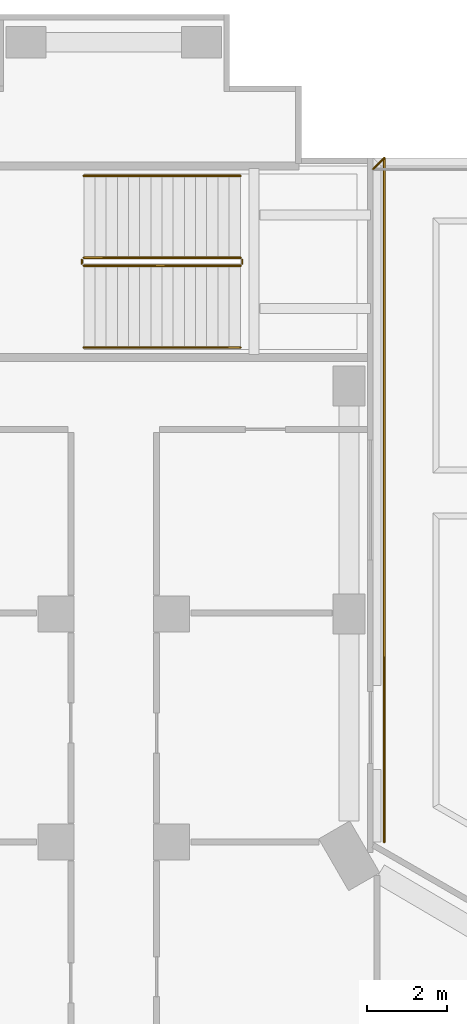
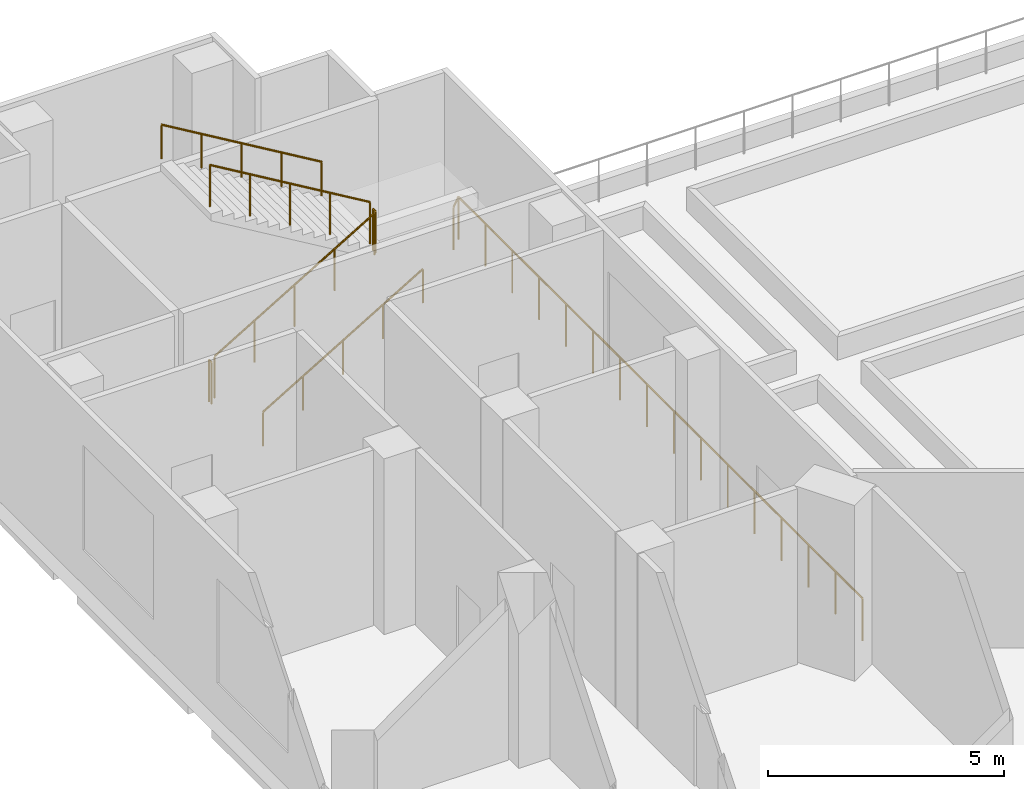
# One storey, part 23 of 24: 8 railings.
"""IFC4 building model written with IfcOpenShell, lengths in metres."""

from ifc_helpers import new_model, si_unit, direction, frame, origin, origin_2d, place, context, subcontext, project, spatial, circle, extrude, material, type_object, element, save


model = new_model("IFC4")

# Units and contexts
model_context = context("Model", 3, precision=1e-05, world=origin(), true_north=direction((0.0, 1.0)))
body_context = subcontext(model_context, "Body", "Model", "MODEL_VIEW")
ifc_project = project(units=[si_unit("LENGTHUNIT", "METRE"), si_unit("AREAUNIT", "SQUARE_METRE"), si_unit("VOLUMEUNIT", "CUBIC_METRE"), si_unit("PLANEANGLEUNIT", "RADIAN"), si_unit("MASSUNIT", "GRAM", prefix="KILO")], contexts=[model_context])

# Site, building, storey
site_placement = place(None, origin())
site = spatial("IfcSite", under=ifc_project, at=site_placement, CompositionType="ELEMENT")
building_placement = place(site_placement, origin())
building = spatial("IfcBuilding", under=site, at=building_placement, Name="Verdalira Terraces Hotel", CompositionType="ELEMENT")
storey_placement = place(building_placement, frame((0.0, 0.0, 14.0)))
storey = spatial("IfcBuildingStorey", under=building, at=storey_placement, Name="L02", CompositionType="ELEMENT", Elevation=14.0)

# Railings
ifc_material_1 = material(Name="Stainless steel", Category="steel")
railing_type_1 = type_object("IfcRailingType", Name="Stair guard 1100", PredefinedType="GUARDRAIL", material=ifc_material_1)
railing_1_placement = place(storey_placement, frame((-0.75, 38.699951, 0.166748)))
element("IfcRailing", 1, at=railing_1_placement, inside=storey, type_object=railing_type_1, Name="L02 PS1 stair guard 1", PredefinedType="GUARDRAIL", context=body_context, shape_type="SweptSolid", body=[
    extrude(circle(Radius=0.023926, at=origin_2d()), frame((0.0, 0.0, 1.076172), z_axis=(0.859296245, 0.0, 0.511478214), x_axis=(0.0, 1.0, 0.0)), (0.0, 0.0, 1.0), 4.561768),
    extrude(circle(Radius=0.020996, at=origin_2d()), origin(), (0.0, 0.0, 1.0), 1.052002),
    extrude(circle(Radius=0.020996, at=origin_2d()), frame((0.97998, 0.0, 0.583252)), (0.0, 0.0, 1.0), 1.052002),
    extrude(circle(Radius=0.020996, at=origin_2d()), frame((1.959961, 0.0, 1.166504)), (0.0, 0.0, 1.0), 1.052002),
    extrude(circle(Radius=0.020996, at=origin_2d()), frame((2.939941, 0.0, 1.75)), (0.0, 0.0, 1.0), 1.052002),
    extrude(circle(Radius=0.020996, at=origin_2d()), frame((3.919922, 0.0, 2.333252)), (0.0, 0.0, 1.0), 1.052002),
])
railing_2_placement = place(storey_placement, frame((3.219971, 38.75, 2.5)))
element("IfcRailing", 2, at=railing_2_placement, inside=storey, type_object=railing_type_1, Name="L02 PS1 stair guard 2", PredefinedType="GUARDRAIL", context=body_context, shape_type="SweptSolid", body=[
    extrude(circle(Radius=0.023926, at=origin_2d()), frame((0.0, 0.0, 1.076172), z_axis=(0.0, 1.0, 0.0), x_axis=(-1.0, 0.0, 0.0)), (0.0, 0.0, 1.0), 0.100098),
    extrude(circle(Radius=0.020996, at=origin_2d()), origin(), (0.0, 0.0, 1.0), 1.052002),
    extrude(circle(Radius=0.020996, at=origin_2d()), frame((0.0, 0.100098, 0.0)), (0.0, 0.0, 1.0), 1.052002),
])
railing_3_placement = place(storey_placement, frame((3.169922, 38.899902, 2.666748)))
element("IfcRailing", 3, at=railing_3_placement, inside=storey, type_object=railing_type_1, Name="L02 PS1 stair guard 3", PredefinedType="GUARDRAIL", context=body_context, shape_type="SweptSolid", body=[
    extrude(circle(Radius=0.023926, at=origin_2d()), frame((0.0, 0.0, 1.076172), z_axis=(-0.859296245, 0.0, 0.511478214), x_axis=(0.0, -1.0, 0.0)), (0.0, 0.0, 1.0), 4.561768),
    extrude(circle(Radius=0.020996, at=origin_2d()), origin(), (0.0, 0.0, 1.0), 1.052002),
    extrude(circle(Radius=0.020996, at=origin_2d()), frame((-0.97998, 0.0, 0.583252)), (0.0, 0.0, 1.0), 1.052002),
    extrude(circle(Radius=0.020996, at=origin_2d()), frame((-1.959961, 0.0, 1.166504)), (0.0, 0.0, 1.0), 1.052002),
    extrude(circle(Radius=0.020996, at=origin_2d()), frame((-2.939941, 0.0, 1.75)), (0.0, 0.0, 1.0), 1.052002),
    extrude(circle(Radius=0.020996, at=origin_2d()), frame((-3.919922, 0.0, 2.333252)), (0.0, 0.0, 1.0), 1.052002),
])
railing_4_placement = place(storey_placement, frame((-0.800049, 38.75, 0.0)))
element("IfcRailing", 4, at=railing_4_placement, inside=storey, type_object=railing_type_1, Name="L02 PS1 stair guard 4", PredefinedType="GUARDRAIL", context=body_context, shape_type="SweptSolid", body=[
    extrude(circle(Radius=0.023926, at=origin_2d()), frame((0.0, 0.0, 1.076172), z_axis=(0.0, 1.0, 0.0), x_axis=(-1.0, 0.0, 0.0)), (0.0, 0.0, 1.0), 0.100098),
    extrude(circle(Radius=0.020996, at=origin_2d()), origin(), (0.0, 0.0, 1.0), 1.052002),
    extrude(circle(Radius=0.020996, at=origin_2d()), frame((0.0, 0.100098, 0.0)), (0.0, 0.0, 1.0), 1.052002),
])
ifc_material_2 = material(Name="Stainless steel", Category="steel")
railing_type_2 = type_object("IfcRailingType", Name="Stair handrail 900", PredefinedType="HANDRAIL", material=ifc_material_2)
railing_5_placement = place(storey_placement, frame((-0.75, 36.649902, 0.166748)))
element("IfcRailing", 5, at=railing_5_placement, inside=storey, type_object=railing_type_2, Name="L02 PS1 stair handrail 1", PredefinedType="HANDRAIL", context=body_context, shape_type="SweptSolid", body=[
    extrude(circle(Radius=0.023926, at=origin_2d()), frame((0.0, 0.0, 0.875977), z_axis=(0.859296245, 0.0, 0.511478214), x_axis=(0.0, 1.0, 0.0)), (0.0, 0.0, 1.0), 4.561768),
    extrude(circle(Radius=0.020996, at=origin_2d()), origin(), (0.0, 0.0, 1.0), 0.851807),
    extrude(circle(Radius=0.020996, at=origin_2d()), frame((0.97998, 0.0, 0.583252)), (0.0, 0.0, 1.0), 0.851807),
    extrude(circle(Radius=0.020996, at=origin_2d()), frame((1.959961, 0.0, 1.166504)), (0.0, 0.0, 1.0), 0.851807),
    extrude(circle(Radius=0.020996, at=origin_2d()), frame((2.939941, 0.0, 1.75)), (0.0, 0.0, 1.0), 0.851807),
    extrude(circle(Radius=0.020996, at=origin_2d()), frame((3.919922, 0.0, 2.333252)), (0.0, 0.0, 1.0), 0.851807),
])
railing_6_placement = place(storey_placement, frame((3.169922, 40.949951, 2.666748)))
element("IfcRailing", 6, at=railing_6_placement, inside=storey, type_object=railing_type_2, Name="L02 PS1 stair handrail 2", PredefinedType="HANDRAIL", context=body_context, shape_type="SweptSolid", body=[
    extrude(circle(Radius=0.023926, at=origin_2d()), frame((0.0, 0.0, 0.875977), z_axis=(-0.859296245, 0.0, 0.511478214), x_axis=(0.0, -1.0, 0.0)), (0.0, 0.0, 1.0), 4.561768),
    extrude(circle(Radius=0.020996, at=origin_2d()), origin(), (0.0, 0.0, 1.0), 0.851807),
    extrude(circle(Radius=0.020996, at=origin_2d()), frame((-0.97998, 0.0, 0.583252)), (0.0, 0.0, 1.0), 0.851807),
    extrude(circle(Radius=0.020996, at=origin_2d()), frame((-1.959961, 0.0, 1.166504)), (0.0, 0.0, 1.0), 0.851807),
    extrude(circle(Radius=0.020996, at=origin_2d()), frame((-2.939941, 0.0, 1.75)), (0.0, 0.0, 1.0), 0.851807),
    extrude(circle(Radius=0.020996, at=origin_2d()), frame((-3.919922, 0.0, 2.333252)), (0.0, 0.0, 1.0), 0.851807),
])
ifc_material_3 = material(Name="Clear laminated glass", Category="glass")
railing_type_3 = type_object("IfcRailingType", Name="Terrace glass guard 1120", PredefinedType="GUARDRAIL", material=ifc_material_3)
railing_7_placement = place(storey_placement, frame((6.5, 41.120117, 0.0)))
element("IfcRailing", 7, at=railing_7_placement, inside=storey, type_object=railing_type_3, Name="Terrace guard", PredefinedType="GUARDRAIL", context=body_context, shape_type="SweptSolid", body=[
    extrude(circle(Radius=0.023926, at=origin_2d()), frame((0.0, 0.0, 1.096191), z_axis=(0.70741509, 0.706798338, 0.0), x_axis=(-0.706798338, 0.70741509, 0.0)), (0.0, 0.0, 1.0), 0.395752),
    extrude(circle(Radius=0.020996, at=origin_2d()), origin(), (0.0, 0.0, 1.0), 1.072021),
    extrude(circle(Radius=0.020996, at=origin_2d()), frame((0.280029, 0.279785, 0.0)), (0.0, 0.0, 1.0), 1.072021),
])
railing_8_placement = place(storey_placement, frame((6.780029, 41.399902, 0.0)))
element("IfcRailing", 8, at=railing_8_placement, inside=storey, type_object=railing_type_3, Name="Terrace guard", PredefinedType="GUARDRAIL", context=body_context, shape_type="SweptSolid", body=[
    extrude(circle(Radius=0.023926, at=origin_2d()), frame((0.0, 0.0, 1.096191), z_axis=(0.0, -1.0, 0.0), x_axis=(1.0, 0.0, 0.0)), (0.0, 0.0, 1.0), 17.141602),
    extrude(circle(Radius=0.020996, at=origin_2d()), origin(), (0.0, 0.0, 1.0), 1.072021),
    extrude(circle(Radius=0.020996, at=origin_2d()), frame((0.0, -1.142822, 0.0)), (0.0, 0.0, 1.0), 1.072021),
    extrude(circle(Radius=0.020996, at=origin_2d()), frame((0.0, -2.285645, 0.0)), (0.0, 0.0, 1.0), 1.072021),
    extrude(circle(Radius=0.020996, at=origin_2d()), frame((0.0, -3.428223, 0.0)), (0.0, 0.0, 1.0), 1.072021),
    extrude(circle(Radius=0.020996, at=origin_2d()), frame((0.0, -4.571045, 0.0)), (0.0, 0.0, 1.0), 1.072021),
    extrude(circle(Radius=0.020996, at=origin_2d()), frame((0.0, -5.713867, 0.0)), (0.0, 0.0, 1.0), 1.072021),
    extrude(circle(Radius=0.020996, at=origin_2d()), frame((0.0, -6.856689, 0.0)), (0.0, 0.0, 1.0), 1.072021),
    extrude(circle(Radius=0.020996, at=origin_2d()), frame((0.0, -7.999512, 0.0)), (0.0, 0.0, 1.0), 1.072021),
    extrude(circle(Radius=0.020996, at=origin_2d()), frame((0.0, -9.14209, 0.0)), (0.0, 0.0, 1.0), 1.072021),
    extrude(circle(Radius=0.020996, at=origin_2d()), frame((0.0, -10.284912, 0.0)), (0.0, 0.0, 1.0), 1.072021),
    extrude(circle(Radius=0.020996, at=origin_2d()), frame((0.0, -11.427734, 0.0)), (0.0, 0.0, 1.0), 1.072021),
    extrude(circle(Radius=0.020996, at=origin_2d()), frame((0.0, -12.570557, 0.0)), (0.0, 0.0, 1.0), 1.072021),
    extrude(circle(Radius=0.020996, at=origin_2d()), frame((0.0, -13.713379, 0.0)), (0.0, 0.0, 1.0), 1.072021),
    extrude(circle(Radius=0.020996, at=origin_2d()), frame((0.0, -14.855957, 0.0)), (0.0, 0.0, 1.0), 1.072021),
    extrude(circle(Radius=0.020996, at=origin_2d()), frame((0.0, -15.998779, 0.0)), (0.0, 0.0, 1.0), 1.072021),
    extrude(circle(Radius=0.020996, at=origin_2d()), frame((0.0, -17.141602, 0.0)), (0.0, 0.0, 1.0), 1.072021),
])

save(model, "model.ifc")
